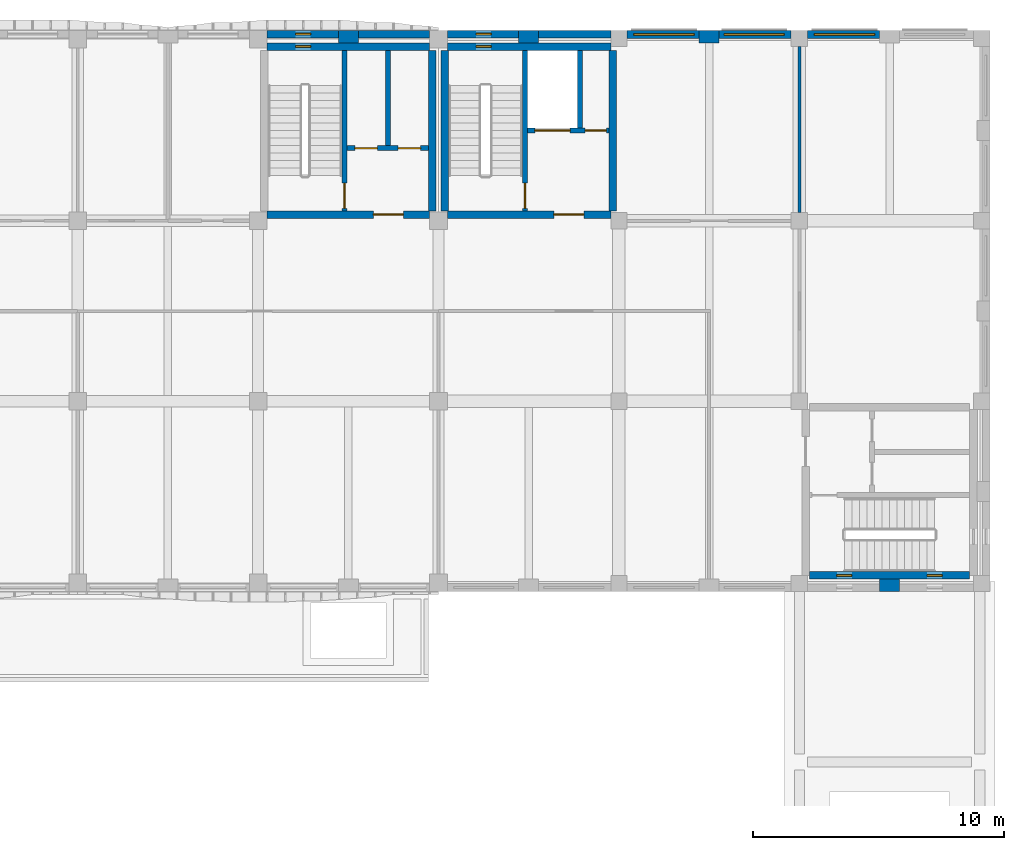
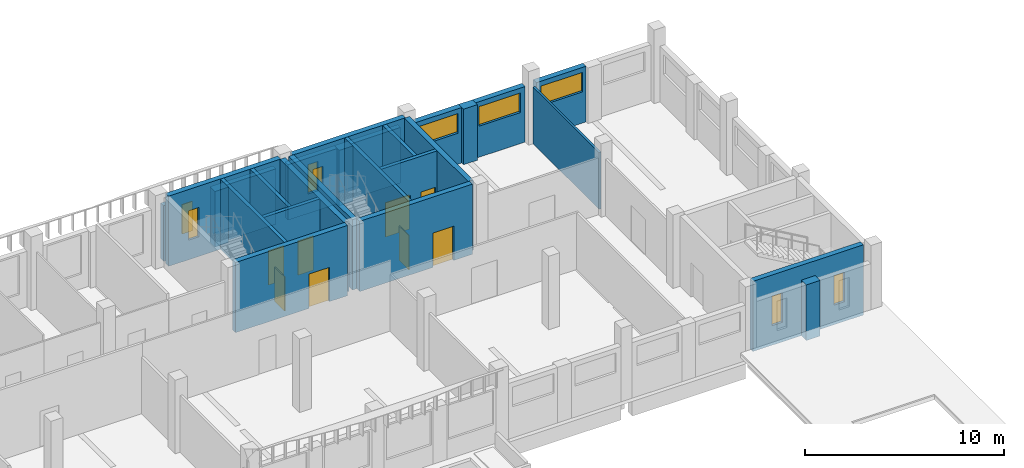
# One storey, part 31 of 59: 26 walls, 9 windows, 8 doors, 17 openings.
"""IFC4 building model written with IfcOpenShell, lengths in metres."""

from ifc_helpers import new_model, si_unit, direction, frame, frame_2d, origin, place, context, subcontext, project, spatial, rectangle, extrude, material, layer, layer_set, type_object, element, fill, save


model = new_model("IFC4")

# Units and contexts
model_context = context("Model", 3, precision=1e-05, world=origin(), true_north=direction((0.0, 1.0)))
body_context = subcontext(model_context, "Body", "Model", "MODEL_VIEW")
ifc_project = project(units=[si_unit("LENGTHUNIT", "METRE"), si_unit("AREAUNIT", "SQUARE_METRE"), si_unit("VOLUMEUNIT", "CUBIC_METRE"), si_unit("PLANEANGLEUNIT", "RADIAN"), si_unit("MASSUNIT", "GRAM", prefix="KILO")], contexts=[model_context])

# Site, building, storey
site_placement = place(None, origin())
site = spatial("IfcSite", under=ifc_project, at=site_placement, CompositionType="ELEMENT")
building_placement = place(site_placement, origin())
building = spatial("IfcBuilding", under=site, at=building_placement, Name="Ussher Court Research Institute", CompositionType="ELEMENT")
storey_placement = place(building_placement, frame((0.0, 0.0, 5.39990234375)))
storey = spatial("IfcBuildingStorey", under=building, at=storey_placement, Name="L01", CompositionType="ELEMENT", Elevation=5.39990234375)

# Wall
ifc_material_1 = material(Name="Insulated sandwich wall panel")
ifc_layer_1 = layer(ifc_material_1, 0.1201171875)
ifc_layer_set_1 = layer_set([ifc_layer_1], Name="Insulated sandwich wall panel")
wall_type_1 = type_object("IfcWallType", Name="Clean-room panel 120 EI 60", PredefinedType="PARTITIONING", material=ifc_layer_set_1)
wall_1_placement = place(storey_placement, frame((96.60009765625, 83.52490234375, 0.0), z_axis=(0.0, 0.0, 1.0), x_axis=(0.0, 1.0, 0.0)))
element("IfcWall", 1, at=wall_1_placement, inside=storey, type_object=wall_type_1, Name="Fire partition", PredefinedType="PARTITIONING", context=body_context, shape_type="SweptSolid", body=[
    extrude(rectangle(XDim=6.625, YDim=0.1201171875, at=frame_2d((3.3125, 0.0))), origin(), (0.0, 0.0, 1.0), 3.47021484375),
])

# Wall, opening, window
ifc_material_2 = material(Name="Faience facing on insulated blockwork", Category="masonry")
ifc_layer_2 = layer(ifc_material_2, 0.320068359375)
ifc_layer_set_2 = layer_set([ifc_layer_2], Name="Faience facing on insulated blockwork")
wall_type_2 = type_object("IfcWallType", Name="Clean-room wall 320 faience faced insulated panel", PredefinedType="SOLIDWALL", material=ifc_layer_set_2)
wall_2_placement = place(storey_placement, frame((89.72509765625, 90.639892578125, 0.0), z_axis=(0.0, 0.0, 1.0), x_axis=(1.0, 0.0, 0.0)))
wall_2 = element("IfcWall", 2, at=wall_2_placement, inside=storey, type_object=wall_type_2, Name="External wall EW3 L01", PredefinedType="SOLIDWALL", context=body_context, shape_type="SweptSolid", body=[
    extrude(rectangle(XDim=2.875, YDim=0.320068359375, at=frame_2d((1.4375, 0.0))), origin(), (0.0, 0.0, 1.0), 3.400146484375),
])
opening_1_placement = place(wall_2_placement, frame((0.27490234375, 0.0, 1.89990234375)))
opening_1 = element("IfcOpeningElement", 3, at=opening_1_placement, cuts=wall_2, Name="Opening W04", PredefinedType="OPENING", context=body_context, shape_type="SweptSolid", body=[
    extrude(rectangle(XDim=2.39990234375, YDim=1.199951171875, at=frame_2d((1.199951171875, 0.60009765625))), frame((0.0, 0.169921875, 0.0), z_axis=(0.0, -1.0, 0.0), x_axis=(1.0, 0.0, 0.0)), (0.0, 0.0, 1.0), 0.340087890625),
])
ifc_material_3 = material(Name="Bronze anodised aluminium with double glazing", Category="aluminium")
window_type_1 = type_object("IfcWindowType", Name="Clean-room clerestory window 2400x1200", PartitioningType="TRIPLE_PANEL_HORIZONTAL", PredefinedType="WINDOW", material=ifc_material_3)
window_1_placement = place(opening_1_placement, origin())
window_1 = element("IfcWindow", 4, at=window_1_placement, inside=storey, type_object=window_type_1, Name="Window W04 L01", OverallHeight=1.199951171875, OverallWidth=2.39990234375, PartitioningType="SINGLE_PANEL", PredefinedType="WINDOW", context=body_context, shape_type="SweptSolid", body=[
    extrude(rectangle(XDim=2.39990234375, YDim=1.199951171875, at=frame_2d((1.199951171875, 0.60009765625))), frame((0.0, 0.030029296875, 0.0), z_axis=(0.0, -1.0, 0.0), x_axis=(1.0, 0.0, 0.0)), (0.0, 0.0, 1.0), 0.06005859375),
])
fill(opening_1, window_1)

wall_3_placement = place(storey_placement, frame((93.39990234375, 90.639892578125, 0.0), z_axis=(0.0, 0.0, 1.0), x_axis=(1.0, 0.0, 0.0)))
wall_3 = element("IfcWall", 5, at=wall_3_placement, inside=storey, type_object=wall_type_2, Name="External wall EW3 L01", PredefinedType="SOLIDWALL", context=body_context, shape_type="SweptSolid", body=[
    extrude(rectangle(XDim=2.875, YDim=0.320068359375, at=frame_2d((1.4375, 0.0))), origin(), (0.0, 0.0, 1.0), 3.400146484375),
])
opening_2_placement = place(wall_3_placement, frame((0.199951171875, 0.0, 1.89990234375)))
opening_2 = element("IfcOpeningElement", 6, at=opening_2_placement, cuts=wall_3, Name="Opening W04", PredefinedType="OPENING", context=body_context, shape_type="SweptSolid", body=[
    extrude(rectangle(XDim=2.39990234375, YDim=1.199951171875, at=frame_2d((1.199951171875, 0.60009765625))), frame((0.0, 0.169921875, 0.0), z_axis=(0.0, -1.0, 0.0), x_axis=(1.0, 0.0, 0.0)), (0.0, 0.0, 1.0), 0.340087890625),
])
window_2_placement = place(opening_2_placement, origin())
window_2 = element("IfcWindow", 7, at=window_2_placement, inside=storey, type_object=window_type_1, Name="Window W04 L01", OverallHeight=1.199951171875, OverallWidth=2.39990234375, PartitioningType="SINGLE_PANEL", PredefinedType="WINDOW", context=body_context, shape_type="SweptSolid", body=[
    extrude(rectangle(XDim=2.39990234375, YDim=1.199951171875, at=frame_2d((1.199951171875, 0.60009765625))), frame((0.0, 0.030029296875, 0.0), z_axis=(0.0, -1.0, 0.0), x_axis=(1.0, 0.0, 0.0)), (0.0, 0.0, 1.0), 0.06005859375),
])
fill(opening_2, window_2)

wall_4_placement = place(storey_placement, frame((96.925048828125, 90.639892578125, 0.0), z_axis=(0.0, 0.0, 1.0), x_axis=(1.0, 0.0, 0.0)))
wall_4 = element("IfcWall", 8, at=wall_4_placement, inside=storey, type_object=wall_type_2, Name="External wall EW3 L01", PredefinedType="SOLIDWALL", context=body_context, shape_type="SweptSolid", body=[
    extrude(rectangle(XDim=2.875, YDim=0.320068359375, at=frame_2d((1.4375, 0.0))), origin(), (0.0, 0.0, 1.0), 3.400146484375),
])
opening_3_placement = place(wall_4_placement, frame((0.27490234375, 0.0, 1.89990234375)))
opening_3 = element("IfcOpeningElement", 9, at=opening_3_placement, cuts=wall_4, Name="Opening W04", PredefinedType="OPENING", context=body_context, shape_type="SweptSolid", body=[
    extrude(rectangle(XDim=2.39990234375, YDim=1.199951171875, at=frame_2d((1.199951171875, 0.60009765625))), frame((0.0, 0.169921875, 0.0), z_axis=(0.0, -1.0, 0.0), x_axis=(1.0, 0.0, 0.0)), (0.0, 0.0, 1.0), 0.340087890625),
])
window_3_placement = place(opening_3_placement, origin())
window_3 = element("IfcWindow", 10, at=window_3_placement, inside=storey, type_object=window_type_1, Name="Window W04 L01", OverallHeight=1.199951171875, OverallWidth=2.39990234375, PartitioningType="SINGLE_PANEL", PredefinedType="WINDOW", context=body_context, shape_type="SweptSolid", body=[
    extrude(rectangle(XDim=2.39990234375, YDim=1.199951171875, at=frame_2d((1.199951171875, 0.60009765625))), frame((0.0, 0.030029296875, 0.0), z_axis=(0.0, -1.0, 0.0), x_axis=(1.0, 0.0, 0.0)), (0.0, 0.0, 1.0), 0.06005859375),
])
fill(opening_3, window_3)

ifc_material_4 = material(Name="Limestone facing on blockwork", Category="masonry")
ifc_layer_3 = layer(ifc_material_4, 0.300048828125)
ifc_layer_set_3 = layer_set([ifc_layer_3], Name="Limestone facing on blockwork")
wall_type_3 = type_object("IfcWallType", Name="External wall 300 stair enclosure", PredefinedType="SOLIDWALL", material=ifc_layer_set_3)
wall_5_placement = place(storey_placement, frame((75.35009765625, 90.64990234375, 0.0), z_axis=(0.0, 0.0, 1.0), x_axis=(1.0, 0.0, 0.0)))
wall_5 = element("IfcWall", 11, at=wall_5_placement, inside=storey, type_object=wall_type_3, Name="External wall EW5 L01", PredefinedType="SOLIDWALL", context=body_context, shape_type="SweptSolid", body=[
    extrude(rectangle(XDim=2.849853515625, YDim=0.300048828125, at=frame_2d((1.4248046875, 0.0))), origin(), (0.0, 0.0, 1.0), 3.400146484375),
])
opening_4_placement = place(wall_5_placement, frame((1.14990234375, 0.0, 1.199951171875)))
opening_4 = element("IfcOpeningElement", 12, at=opening_4_placement, cuts=wall_5, Name="Opening W25", PredefinedType="OPENING", context=body_context, shape_type="SweptSolid", body=[
    extrude(rectangle(XDim=0.60009765625, YDim=1.800048828125, at=frame_2d((0.300048828125, 0.89990234375))), frame((0.0, 0.16015625, 0.0), z_axis=(0.0, -1.0, 0.0), x_axis=(1.0, 0.0, 0.0)), (0.0, 0.0, 1.0), 0.320068359375),
])
ifc_material_5 = material(Name="Bronze anodised aluminium with double glazing", Category="aluminium")
window_type_2 = type_object("IfcWindowType", Name="Stair light slot window 600x1800 fire-resisting glazing", PartitioningType="SINGLE_PANEL", PredefinedType="WINDOW", material=ifc_material_5)
window_4_placement = place(opening_4_placement, origin())
window_4 = element("IfcWindow", 13, at=window_4_placement, inside=storey, type_object=window_type_2, Name="Window W25 L01", OverallHeight=1.800048828125, OverallWidth=0.60009765625, PartitioningType="SINGLE_PANEL", PredefinedType="WINDOW", context=body_context, shape_type="SweptSolid", body=[
    extrude(rectangle(XDim=0.60009765625, YDim=1.800048828125, at=frame_2d((0.300048828125, 0.89990234375))), frame((0.0, 0.030029296875, 0.0), z_axis=(0.0, -1.0, 0.0), x_axis=(1.0, 0.0, 0.0)), (0.0, 0.0, 1.0), 0.06005859375),
])
fill(opening_4, window_4)

# Wall
wall_6_placement = place(storey_placement, frame((79.0, 90.64990234375, 0.0), z_axis=(0.0, 0.0, 1.0), x_axis=(1.0, 0.0, 0.0)))
element("IfcWall", 14, at=wall_6_placement, inside=storey, type_object=wall_type_3, Name="External wall EW5 L01", PredefinedType="SOLIDWALL", context=body_context, shape_type="SweptSolid", body=[
    extrude(rectangle(XDim=2.85009765625, YDim=0.300048828125, at=frame_2d((1.425048828125, 0.0))), origin(), (0.0, 0.0, 1.0), 3.400146484375),
])

# Wall, opening, window
wall_7_placement = place(storey_placement, frame((82.550048828125, 90.64990234375, 0.0), z_axis=(0.0, 0.0, 1.0), x_axis=(1.0, 0.0, 0.0)))
wall_7 = element("IfcWall", 15, at=wall_7_placement, inside=storey, type_object=wall_type_3, Name="External wall EW5 L01", PredefinedType="SOLIDWALL", context=body_context, shape_type="SweptSolid", body=[
    extrude(rectangle(XDim=2.849853515625, YDim=0.300048828125, at=frame_2d((1.4248046875, 0.0))), origin(), (0.0, 0.0, 1.0), 3.400146484375),
])
opening_5_placement = place(wall_7_placement, frame((1.14990234375, 0.0, 1.199951171875)))
opening_5 = element("IfcOpeningElement", 16, at=opening_5_placement, cuts=wall_7, Name="Opening W25", PredefinedType="OPENING", context=body_context, shape_type="SweptSolid", body=[
    extrude(rectangle(XDim=0.60009765625, YDim=1.800048828125, at=frame_2d((0.300048828125, 0.89990234375))), frame((0.0, 0.16015625, 0.0), z_axis=(0.0, -1.0, 0.0), x_axis=(1.0, 0.0, 0.0)), (0.0, 0.0, 1.0), 0.320068359375),
])
window_5_placement = place(opening_5_placement, origin())
window_5 = element("IfcWindow", 17, at=window_5_placement, inside=storey, type_object=window_type_2, Name="Window W25 L01", OverallHeight=1.800048828125, OverallWidth=0.60009765625, PartitioningType="SINGLE_PANEL", PredefinedType="WINDOW", context=body_context, shape_type="SweptSolid", body=[
    extrude(rectangle(XDim=0.60009765625, YDim=1.800048828125, at=frame_2d((0.300048828125, 0.89990234375))), frame((0.0, 0.030029296875, 0.0), z_axis=(0.0, -1.0, 0.0), x_axis=(1.0, 0.0, 0.0)), (0.0, 0.0, 1.0), 0.06005859375),
])
fill(opening_5, window_5)

# Walls
wall_8_placement = place(storey_placement, frame((86.199951171875, 90.64990234375, 0.0), z_axis=(0.0, 0.0, 1.0), x_axis=(1.0, 0.0, 0.0)))
element("IfcWall", 18, at=wall_8_placement, inside=storey, type_object=wall_type_3, Name="External wall EW5 L01", PredefinedType="SOLIDWALL", context=body_context, shape_type="SweptSolid", body=[
    extrude(rectangle(XDim=2.875, YDim=0.300048828125, at=frame_2d((1.4375, 0.0))), origin(), (0.0, 0.0, 1.0), 3.400146484375),
])
ifc_material_6 = material(Name="Blockwork with cream render", Category="masonry")
ifc_layer_4 = layer(ifc_material_6, 0.5)
ifc_layer_set_4 = layer_set([ifc_layer_4], Name="Blockwork with cream render")
wall_type_4 = type_object("IfcWallType", Name="Pier 800x500 cream render", PredefinedType="SOLIDWALL", material=ifc_layer_set_4)
wall_9_placement = place(storey_placement, frame((78.199951171875, 90.550048828125, 0.0), z_axis=(0.0, 0.0, 1.0), x_axis=(1.0, 0.0, 0.0)))
element("IfcWall", 19, at=wall_9_placement, inside=storey, type_object=wall_type_4, Name="Pier PR1 L01", PredefinedType="SOLIDWALL", context=body_context, shape_type="SweptSolid", body=[
    extrude(rectangle(XDim=0.800048828125, YDim=0.5, at=frame_2d((0.39990234375, 0.0))), origin(), (0.0, 0.0, 1.0), 3.400146484375),
])
ifc_material_7 = material(Name="Rusticated limestone facing on blockwork", Category="masonry")
ifc_layer_5 = layer(ifc_material_7, 0.5)
ifc_layer_set_5 = layer_set([ifc_layer_5], Name="Rusticated limestone facing on blockwork")
wall_type_5 = type_object("IfcWallType", Name="Pier 800x500 rusticated limestone", PredefinedType="SOLIDWALL", material=ifc_layer_set_5)
wall_10_placement = place(storey_placement, frame((85.39990234375, 90.550048828125, 0.0), z_axis=(0.0, 0.0, 1.0), x_axis=(1.0, 0.0, 0.0)))
element("IfcWall", 20, at=wall_10_placement, inside=storey, type_object=wall_type_5, Name="Pier PR2 L01", PredefinedType="SOLIDWALL", context=body_context, shape_type="SweptSolid", body=[
    extrude(rectangle(XDim=0.800048828125, YDim=0.5, at=frame_2d((0.39990234375, 0.0))), origin(), (0.0, 0.0, 1.0), 3.400146484375),
])
wall_11_placement = place(storey_placement, frame((92.60009765625, 90.550048828125, 0.0), z_axis=(0.0, 0.0, 1.0), x_axis=(1.0, 0.0, 0.0)))
element("IfcWall", 21, at=wall_11_placement, inside=storey, type_object=wall_type_5, Name="Pier PR2 L01", PredefinedType="SOLIDWALL", context=body_context, shape_type="SweptSolid", body=[
    extrude(rectangle(XDim=0.7998046875, YDim=0.5, at=frame_2d((0.39990234375, 0.0))), origin(), (0.0, 0.0, 1.0), 3.400146484375),
])
wall_12_placement = place(storey_placement, frame((100.60009765625, 68.64990234375, 0.0), z_axis=(0.0, 0.0, 1.0), x_axis=(-1.0, 0.0, 0.0)))
element("IfcWall", 22, at=wall_12_placement, inside=storey, type_object=wall_type_5, Name="Pier PR2 L01", PredefinedType="SOLIDWALL", context=body_context, shape_type="SweptSolid", body=[
    extrude(rectangle(XDim=0.800048828125, YDim=0.5, at=frame_2d((0.39990234375, 0.0))), origin(), (0.0, 0.0, 1.0), 3.400146484375),
])

# Wall, opening, door
ifc_material_8 = material(Name="Concrete C35/45", Category="concrete")
ifc_layer_6 = layer(ifc_material_8, 0.199951171875)
ifc_layer_set_6 = layer_set([ifc_layer_6], Name="Concrete C35/45")
wall_type_6 = type_object("IfcWallType", Name="RC core wall 200", PredefinedType="SHEAR", material=ifc_layer_set_6)
wall_13_placement = place(storey_placement, frame((85.64990234375, 83.60009765625, 0.0), z_axis=(0.0, 0.0, 1.0), x_axis=(0.0, 1.0, 0.0)))
wall_13 = element("IfcWall", 23, at=wall_13_placement, inside=storey, type_object=wall_type_6, Name="Core wall C1", PredefinedType="SHEAR", context=body_context, shape_type="SweptSolid", body=[
    extrude(rectangle(XDim=6.39990234375, YDim=0.199951171875, at=frame_2d((3.199951171875, 0.0))), origin(), (0.0, 0.0, 1.0), 4.300048828125),
])
opening_6_placement = place(wall_13_placement, frame((0.10009765625, 0.0, 0.0)))
opening_6 = element("IfcOpeningElement", 24, at=opening_6_placement, cuts=wall_13, Name="Opening D01058", PredefinedType="OPENING", context=body_context, shape_type="SweptSolid", body=[
    extrude(rectangle(XDim=1.0, YDim=2.10009765625, at=frame_2d((0.5, 1.050048828125))), frame((0.0, 0.10986328125, 0.0), z_axis=(0.0, -1.0, 0.0), x_axis=(1.0, 0.0, 0.0)), (0.0, 0.0, 1.0), 0.219970703125),
])
ifc_material_9 = material(Name="Painted steel faced fire door", Category="steel")
door_type_1 = type_object("IfcDoorType", Name="Fire door 1000x2100 FD60", OperationType="NOTDEFINED", PredefinedType="DOOR", material=ifc_material_9)
door_1_placement = place(opening_6_placement, origin())
door_1 = element("IfcDoor", 25, at=door_1_placement, inside=storey, type_object=door_type_1, Name="Door D01058", OperationType="SINGLE_SWING_LEFT", OverallHeight=2.10009765625, OverallWidth=1.0, PredefinedType="DOOR", context=body_context, shape_type="SweptSolid", body=[
    extrude(rectangle(XDim=1.0, YDim=2.10009765625, at=frame_2d((0.5, 1.050048828125))), frame((0.0, 0.02490234375, 0.0), z_axis=(0.0, -1.0, 0.0), x_axis=(1.0, 0.0, 0.0)), (0.0, 0.0, 1.0), 0.050048828125),
])
fill(opening_6, door_1)

# Wall, openings, doors
wall_14_placement = place(storey_placement, frame((89.0, 86.800048828125, 0.0), z_axis=(0.0, 0.0, 1.0), x_axis=(-1.0, 0.0, 0.0)))
wall_14 = element("IfcWall", 26, at=wall_14_placement, inside=storey, type_object=wall_type_6, Name="Core wall C1", PredefinedType="SHEAR", context=body_context, shape_type="SweptSolid", body=[
    extrude(rectangle(XDim=3.25, YDim=0.199951171875, at=frame_2d((1.625, 0.0))), origin(), (0.0, 0.0, 1.0), 4.300048828125),
])
opening_7_placement = place(wall_14_placement, frame((1.550048828125, 0.0, 0.0)))
opening_7 = element("IfcOpeningElement", 27, at=opening_7_placement, cuts=wall_14, Name="Opening LD23", PredefinedType="OPENING", context=body_context, shape_type="SweptSolid", body=[
    extrude(rectangle(XDim=1.39990234375, YDim=2.10009765625, at=frame_2d((0.699951171875, 1.050048828125))), frame((0.0, 0.10986328125, 0.0), z_axis=(0.0, -1.0, 0.0), x_axis=(1.0, 0.0, 0.0)), (0.0, 0.0, 1.0), 0.219970703125),
])
opening_8_placement = place(wall_14_placement, frame((0.10009765625, 0.0, 0.0)))
opening_8 = element("IfcOpeningElement", 28, at=opening_8_placement, cuts=wall_14, Name="Opening D01068", PredefinedType="OPENING", context=body_context, shape_type="SweptSolid", body=[
    extrude(rectangle(XDim=0.85009765625, YDim=2.10009765625, at=frame_2d((0.425048828125, 1.050048828125))), frame((0.0, 0.10986328125, 0.0), z_axis=(0.0, -1.0, 0.0), x_axis=(1.0, 0.0, 0.0)), (0.0, 0.0, 1.0), 0.219970703125),
])
ifc_material_10 = material(Name="Painted steel faced fire door", Category="steel")
door_type_2 = type_object("IfcDoorType", Name="Fire door 850x2100 FD60", OperationType="NOTDEFINED", PredefinedType="DOOR", material=ifc_material_10)
door_2_placement = place(opening_8_placement, origin())
door_2 = element("IfcDoor", 29, at=door_2_placement, inside=storey, type_object=door_type_2, Name="Door D01068", OperationType="SINGLE_SWING_LEFT", OverallHeight=2.10009765625, OverallWidth=0.85009765625, PredefinedType="DOOR", context=body_context, shape_type="SweptSolid", body=[
    extrude(rectangle(XDim=0.85009765625, YDim=2.10009765625, at=frame_2d((0.425048828125, 1.050048828125))), frame((0.0, 0.02490234375, 0.0), z_axis=(0.0, -1.0, 0.0), x_axis=(1.0, 0.0, 0.0)), (0.0, 0.0, 1.0), 0.050048828125),
])
fill(opening_8, door_2)
ifc_material_11 = material(Name="Stainless steel lift door", Category="steel")
door_type_3 = type_object("IfcDoorType", Name="Lift landing door 1400x2100 sliding", OperationType="DOUBLE_DOOR_SLIDING", PredefinedType="DOOR", material=ifc_material_11)
door_3_placement = place(opening_7_placement, origin())
door_3 = element("IfcDoor", 30, at=door_3_placement, inside=storey, type_object=door_type_3, Name="Landing door C1-1 L01", OperationType="DOUBLE_DOOR_SLIDING", OverallHeight=2.10009765625, OverallWidth=1.39990234375, PredefinedType="DOOR", context=body_context, shape_type="SweptSolid", body=[
    extrude(rectangle(XDim=1.39990234375, YDim=2.10009765625, at=frame_2d((0.699951171875, 1.050048828125))), frame((0.0, 0.02490234375, 0.0), z_axis=(0.0, -1.0, 0.0), x_axis=(1.0, 0.0, 0.0)), (0.0, 0.0, 1.0), 0.050048828125),
])
fill(opening_7, door_3)

# Wall
wall_15_placement = place(storey_placement, frame((87.85009765625, 86.89990234375, 0.0), z_axis=(0.0, 0.0, 1.0), x_axis=(0.0, 1.0, 0.0)))
element("IfcWall", 31, at=wall_15_placement, inside=storey, type_object=wall_type_6, Name="Core wall C1", PredefinedType="SHEAR", context=body_context, shape_type="SweptSolid", body=[
    extrude(rectangle(XDim=3.10009765625, YDim=0.199951171875, at=frame_2d((1.550048828125, 0.0))), origin(), (0.0, 0.0, 1.0), 4.300048828125),
])

# Wall, opening, door
wall_16_placement = place(storey_placement, frame((78.449951171875, 83.60009765625, 0.0), z_axis=(0.0, 0.0, 1.0), x_axis=(0.0, 1.0, 0.0)))
wall_16 = element("IfcWall", 32, at=wall_16_placement, inside=storey, type_object=wall_type_6, Name="Core wall D3", PredefinedType="SHEAR", context=body_context, shape_type="SweptSolid", body=[
    extrude(rectangle(XDim=6.39990234375, YDim=0.199951171875, at=frame_2d((3.199951171875, 0.0))), origin(), (0.0, 0.0, 1.0), 4.300048828125),
])
opening_9_placement = place(wall_16_placement, frame((0.10009765625, 0.0, 0.0)))
opening_9 = element("IfcOpeningElement", 33, at=opening_9_placement, cuts=wall_16, Name="Opening D01052", PredefinedType="OPENING", context=body_context, shape_type="SweptSolid", body=[
    extrude(rectangle(XDim=1.0, YDim=2.10009765625, at=frame_2d((0.5, 1.050048828125))), frame((0.0, 0.10986328125, 0.0), z_axis=(0.0, -1.0, 0.0), x_axis=(1.0, 0.0, 0.0)), (0.0, 0.0, 1.0), 0.219970703125),
])
door_4_placement = place(opening_9_placement, origin())
door_4 = element("IfcDoor", 34, at=door_4_placement, inside=storey, type_object=door_type_1, Name="Door D01052", OperationType="SINGLE_SWING_LEFT", OverallHeight=2.10009765625, OverallWidth=1.0, PredefinedType="DOOR", context=body_context, shape_type="SweptSolid", body=[
    extrude(rectangle(XDim=1.0, YDim=2.10009765625, at=frame_2d((0.5, 1.050048828125))), frame((0.0, 0.02490234375, 0.0), z_axis=(0.0, -1.0, 0.0), x_axis=(1.0, 0.0, 0.0)), (0.0, 0.0, 1.0), 0.050048828125),
])
fill(opening_9, door_4)

# Wall, openings, doors
wall_17_placement = place(storey_placement, frame((81.800048828125, 86.10009765625, 0.0), z_axis=(0.0, 0.0, 1.0), x_axis=(-1.0, 0.0, 0.0)))
wall_17 = element("IfcWall", 35, at=wall_17_placement, inside=storey, type_object=wall_type_6, Name="Core wall D3", PredefinedType="SHEAR", context=body_context, shape_type="SweptSolid", body=[
    extrude(rectangle(XDim=3.25, YDim=0.199951171875, at=frame_2d((1.625, 0.0))), origin(), (0.0, 0.0, 1.0), 4.300048828125),
])
opening_10_placement = place(wall_17_placement, frame((2.03759765625, 0.0, 0.0)))
opening_10 = element("IfcOpeningElement", 36, at=opening_10_placement, cuts=wall_17, Name="Opening D01053", PredefinedType="OPENING", context=body_context, shape_type="SweptSolid", body=[
    extrude(rectangle(XDim=0.89990234375, YDim=2.10009765625, at=frame_2d((0.449951171875, 1.050048828125))), frame((0.0, 0.10986328125, 0.0), z_axis=(0.0, -1.0, 0.0), x_axis=(1.0, 0.0, 0.0)), (0.0, 0.0, 1.0), 0.219970703125),
])
opening_11_placement = place(wall_17_placement, frame((0.3125, 0.0, 0.0)))
opening_11 = element("IfcOpeningElement", 37, at=opening_11_placement, cuts=wall_17, Name="Opening D01056", PredefinedType="OPENING", context=body_context, shape_type="SweptSolid", body=[
    extrude(rectangle(XDim=0.89990234375, YDim=2.10009765625, at=frame_2d((0.449951171875, 1.050048828125))), frame((0.0, 0.10986328125, 0.0), z_axis=(0.0, -1.0, 0.0), x_axis=(1.0, 0.0, 0.0)), (0.0, 0.0, 1.0), 0.219970703125),
])
ifc_material_12 = material(Name="Painted steel faced fire door", Category="steel")
door_type_4 = type_object("IfcDoorType", Name="Fire door 900x2100 FD60", OperationType="NOTDEFINED", PredefinedType="DOOR", material=ifc_material_12)
door_5_placement = place(opening_10_placement, origin())
door_5 = element("IfcDoor", 38, at=door_5_placement, inside=storey, type_object=door_type_4, Name="Door D01053", OperationType="SINGLE_SWING_RIGHT", OverallHeight=2.10009765625, OverallWidth=0.89990234375, PredefinedType="DOOR", context=body_context, shape_type="SweptSolid", body=[
    extrude(rectangle(XDim=0.89990234375, YDim=2.10009765625, at=frame_2d((0.449951171875, 1.050048828125))), frame((0.0, 0.02490234375, 0.0), z_axis=(0.0, -1.0, 0.0), x_axis=(1.0, 0.0, 0.0)), (0.0, 0.0, 1.0), 0.050048828125),
])
fill(opening_10, door_5)
door_6_placement = place(opening_11_placement, origin())
door_6 = element("IfcDoor", 39, at=door_6_placement, inside=storey, type_object=door_type_4, Name="Door D01056", OperationType="SINGLE_SWING_LEFT", OverallHeight=2.10009765625, OverallWidth=0.89990234375, PredefinedType="DOOR", context=body_context, shape_type="SweptSolid", body=[
    extrude(rectangle(XDim=0.89990234375, YDim=2.10009765625, at=frame_2d((0.449951171875, 1.050048828125))), frame((0.0, 0.02490234375, 0.0), z_axis=(0.0, -1.0, 0.0), x_axis=(1.0, 0.0, 0.0)), (0.0, 0.0, 1.0), 0.050048828125),
])
fill(opening_11, door_6)

# Wall
wall_18_placement = place(storey_placement, frame((80.175048828125, 86.199951171875, 0.0), z_axis=(0.0, 0.0, 1.0), x_axis=(0.0, 1.0, 0.0)))
element("IfcWall", 40, at=wall_18_placement, inside=storey, type_object=wall_type_6, Name="Core wall D3", PredefinedType="SHEAR", context=body_context, shape_type="SweptSolid", body=[
    extrude(rectangle(XDim=3.800048828125, YDim=0.199951171875, at=frame_2d((1.89990234375, 0.0))), origin(), (0.0, 0.0, 1.0), 4.300048828125),
])

# Wall, opening, door
ifc_material_13 = material(Name="Concrete C35/45", Category="concrete")
ifc_layer_7 = layer(ifc_material_13, 0.300048828125)
ifc_layer_set_7 = layer_set([ifc_layer_7], Name="Concrete C35/45")
wall_type_7 = type_object("IfcWallType", Name="RC core wall 300", PredefinedType="SHEAR", material=ifc_layer_set_7)
wall_19_placement = place(storey_placement, frame((82.550048828125, 83.449951171875, 0.0), z_axis=(0.0, 0.0, 1.0), x_axis=(1.0, 0.0, 0.0)))
wall_19 = element("IfcWall", 41, at=wall_19_placement, inside=storey, type_object=wall_type_7, Name="Core wall C1", PredefinedType="SHEAR", context=body_context, shape_type="SweptSolid", body=[
    extrude(rectangle(XDim=6.52490234375, YDim=0.300048828125, at=frame_2d((3.262451171875, 0.0))), origin(), (0.0, 0.0, 1.0), 4.300048828125),
])
opening_12_placement = place(wall_19_placement, frame((4.25, 0.0, 0.0)))
opening_12 = element("IfcOpeningElement", 42, at=opening_12_placement, cuts=wall_19, Name="Opening D01065", PredefinedType="OPENING", context=body_context, shape_type="SweptSolid", body=[
    extrude(rectangle(XDim=1.199951171875, YDim=2.10009765625, at=frame_2d((0.60009765625, 1.050048828125))), frame((0.0, 0.16015625, 0.0), z_axis=(0.0, -1.0, 0.0), x_axis=(1.0, 0.0, 0.0)), (0.0, 0.0, 1.0), 0.320068359375),
])
ifc_material_14 = material(Name="Painted steel faced fire door", Category="steel")
door_type_5 = type_object("IfcDoorType", Name="Fire door 1200x2100 FD60", OperationType="NOTDEFINED", PredefinedType="DOOR", material=ifc_material_14)
door_7_placement = place(opening_12_placement, origin())
door_7 = element("IfcDoor", 43, at=door_7_placement, inside=storey, type_object=door_type_5, Name="Door D01065", OperationType="SINGLE_SWING_RIGHT", OverallHeight=2.10009765625, OverallWidth=1.199951171875, PredefinedType="DOOR", context=body_context, shape_type="SweptSolid", body=[
    extrude(rectangle(XDim=1.199951171875, YDim=2.10009765625, at=frame_2d((0.60009765625, 1.050048828125))), frame((0.0, 0.02490234375, 0.0), z_axis=(0.0, -1.0, 0.0), x_axis=(1.0, 0.0, 0.0)), (0.0, 0.0, 1.0), 0.050048828125),
])
fill(opening_12, door_7)

# Wall, opening, window
wall_20_placement = place(storey_placement, frame((82.550048828125, 90.14990234375, 0.0), z_axis=(0.0, 0.0, 1.0), x_axis=(1.0, 0.0, 0.0)))
wall_20 = element("IfcWall", 44, at=wall_20_placement, inside=storey, type_object=wall_type_7, Name="Core wall C1", PredefinedType="SHEAR", context=body_context, shape_type="SweptSolid", body=[
    extrude(rectangle(XDim=6.52490234375, YDim=0.300048828125, at=frame_2d((3.262451171875, 0.0))), origin(), (0.0, 0.0, 1.0), 4.300048828125),
])
opening_13_placement = place(wall_20_placement, frame((1.14990234375, 0.0, 1.199951171875)))
opening_13 = element("IfcOpeningElement", 45, at=opening_13_placement, cuts=wall_20, Name="Opening W25", PredefinedType="OPENING", context=body_context, shape_type="SweptSolid", body=[
    extrude(rectangle(XDim=0.60009765625, YDim=1.800048828125, at=frame_2d((0.300048828125, 0.89990234375))), frame((0.0, 0.16015625, 0.0), z_axis=(0.0, -1.0, 0.0), x_axis=(1.0, 0.0, 0.0)), (0.0, 0.0, 1.0), 0.320068359375),
])
window_6_placement = place(opening_13_placement, origin())
window_6 = element("IfcWindow", 46, at=window_6_placement, inside=storey, type_object=window_type_2, Name="Window stair light C1 L01", OverallHeight=1.800048828125, OverallWidth=0.60009765625, PartitioningType="SINGLE_PANEL", PredefinedType="WINDOW", context=body_context, shape_type="SweptSolid", body=[
    extrude(rectangle(XDim=0.60009765625, YDim=1.800048828125, at=frame_2d((0.300048828125, 0.89990234375))), frame((0.0, 0.030029296875, 0.0), z_axis=(0.0, -1.0, 0.0), x_axis=(1.0, 0.0, 0.0)), (0.0, 0.0, 1.0), 0.06005859375),
])
fill(opening_13, window_6)

# Walls
for number, where, z_axis, x_axis, name in (
    (47, (82.449951171875, 83.60009765625, 0.0), (0.0, 0.0, 1.0), (0.0, 1.0, 0.0), "Core wall C1"),
    (48, (89.14990234375, 83.60009765625, 0.0), (0.0, 0.0, 1.0), (0.0, 1.0, 0.0), "Core wall C1"),
):
    element("IfcWall", number, at=place(storey_placement, frame(where, z_axis=z_axis, x_axis=x_axis)), inside=storey, type_object=wall_type_7, Name=name, PredefinedType="SHEAR", context=body_context, shape_type="SweptSolid", body=[
        extrude(rectangle(XDim=6.39990234375, YDim=0.300048828125, at=frame_2d((3.199951171875, 0.0))), origin(), (0.0, 0.0, 1.0), 4.300048828125),
    ])

# Wall, openings, windows
wall_21_placement = place(storey_placement, frame((97.0, 69.050048828125, 0.0), z_axis=(0.0, 0.0, 1.0), x_axis=(1.0, 0.0, 0.0)))
wall_21 = element("IfcWall", 49, at=wall_21_placement, inside=storey, type_object=wall_type_7, Name="Core wall C2", PredefinedType="SHEAR", context=body_context, shape_type="SweptSolid", body=[
    extrude(rectangle(XDim=6.39990234375, YDim=0.300048828125, at=frame_2d((3.199951171875, 0.0))), origin(), (0.0, 0.0, 1.0), 4.300048828125),
])
opening_14_placement = place(wall_21_placement, frame((4.699951171875, 0.0, 1.199951171875)))
opening_14 = element("IfcOpeningElement", 50, at=opening_14_placement, cuts=wall_21, Name="Opening W25", PredefinedType="OPENING", context=body_context, shape_type="SweptSolid", body=[
    extrude(rectangle(XDim=0.60009765625, YDim=1.800048828125, at=frame_2d((0.300048828125, 0.89990234375))), frame((0.0, 0.16015625, 0.0), z_axis=(0.0, -1.0, 0.0), x_axis=(1.0, 0.0, 0.0)), (0.0, 0.0, 1.0), 0.320068359375),
])
opening_15_placement = place(wall_21_placement, frame((1.10009765625, 0.0, 1.199951171875)))
opening_15 = element("IfcOpeningElement", 51, at=opening_15_placement, cuts=wall_21, Name="Opening W25", PredefinedType="OPENING", context=body_context, shape_type="SweptSolid", body=[
    extrude(rectangle(XDim=0.60009765625, YDim=1.800048828125, at=frame_2d((0.300048828125, 0.89990234375))), frame((0.0, 0.16015625, 0.0), z_axis=(0.0, -1.0, 0.0), x_axis=(1.0, 0.0, 0.0)), (0.0, 0.0, 1.0), 0.320068359375),
])
window_7_placement = place(opening_14_placement, origin())
window_7 = element("IfcWindow", 52, at=window_7_placement, inside=storey, type_object=window_type_2, Name="Window stair light C2 L01", OverallHeight=1.800048828125, OverallWidth=0.60009765625, PartitioningType="SINGLE_PANEL", PredefinedType="WINDOW", context=body_context, shape_type="SweptSolid", body=[
    extrude(rectangle(XDim=0.60009765625, YDim=1.800048828125, at=frame_2d((0.300048828125, 0.89990234375))), frame((0.0, 0.030029296875, 0.0), z_axis=(0.0, -1.0, 0.0), x_axis=(1.0, 0.0, 0.0)), (0.0, 0.0, 1.0), 0.06005859375),
])
fill(opening_14, window_7)
window_8_placement = place(opening_15_placement, origin())
window_8 = element("IfcWindow", 53, at=window_8_placement, inside=storey, type_object=window_type_2, Name="Window stair light C2 L01", OverallHeight=1.800048828125, OverallWidth=0.60009765625, PartitioningType="SINGLE_PANEL", PredefinedType="WINDOW", context=body_context, shape_type="SweptSolid", body=[
    extrude(rectangle(XDim=0.60009765625, YDim=1.800048828125, at=frame_2d((0.300048828125, 0.89990234375))), frame((0.0, 0.030029296875, 0.0), z_axis=(0.0, -1.0, 0.0), x_axis=(1.0, 0.0, 0.0)), (0.0, 0.0, 1.0), 0.06005859375),
])
fill(opening_15, window_8)

# Wall, opening, door
wall_22_placement = place(storey_placement, frame((75.35009765625, 83.449951171875, 0.0), z_axis=(0.0, 0.0, 1.0), x_axis=(1.0, 0.0, 0.0)))
wall_22 = element("IfcWall", 54, at=wall_22_placement, inside=storey, type_object=wall_type_7, Name="Core wall D3", PredefinedType="SHEAR", context=body_context, shape_type="SweptSolid", body=[
    extrude(rectangle(XDim=6.5, YDim=0.300048828125, at=frame_2d((3.25, 0.0))), origin(), (0.0, 0.0, 1.0), 4.300048828125),
])
opening_16_placement = place(wall_22_placement, frame((4.25, 0.0, 0.0)))
opening_16 = element("IfcOpeningElement", 55, at=opening_16_placement, cuts=wall_22, Name="Opening D01055", PredefinedType="OPENING", context=body_context, shape_type="SweptSolid", body=[
    extrude(rectangle(XDim=1.199951171875, YDim=2.10009765625, at=frame_2d((0.60009765625, 1.050048828125))), frame((0.0, 0.16015625, 0.0), z_axis=(0.0, -1.0, 0.0), x_axis=(1.0, 0.0, 0.0)), (0.0, 0.0, 1.0), 0.320068359375),
])
door_8_placement = place(opening_16_placement, origin())
door_8 = element("IfcDoor", 56, at=door_8_placement, inside=storey, type_object=door_type_5, Name="Door D01055", OperationType="SINGLE_SWING_RIGHT", OverallHeight=2.10009765625, OverallWidth=1.199951171875, PredefinedType="DOOR", context=body_context, shape_type="SweptSolid", body=[
    extrude(rectangle(XDim=1.199951171875, YDim=2.10009765625, at=frame_2d((0.60009765625, 1.050048828125))), frame((0.0, 0.02490234375, 0.0), z_axis=(0.0, -1.0, 0.0), x_axis=(1.0, 0.0, 0.0)), (0.0, 0.0, 1.0), 0.050048828125),
])
fill(opening_16, door_8)

# Wall, opening, window
wall_23_placement = place(storey_placement, frame((75.35009765625, 90.14990234375, 0.0), z_axis=(0.0, 0.0, 1.0), x_axis=(1.0, 0.0, 0.0)))
wall_23 = element("IfcWall", 57, at=wall_23_placement, inside=storey, type_object=wall_type_7, Name="Core wall D3", PredefinedType="SHEAR", context=body_context, shape_type="SweptSolid", body=[
    extrude(rectangle(XDim=6.5, YDim=0.300048828125, at=frame_2d((3.25, 0.0))), origin(), (0.0, 0.0, 1.0), 4.300048828125),
])
opening_17_placement = place(wall_23_placement, frame((1.14990234375, 0.0, 1.199951171875)))
opening_17 = element("IfcOpeningElement", 58, at=opening_17_placement, cuts=wall_23, Name="Opening W25", PredefinedType="OPENING", context=body_context, shape_type="SweptSolid", body=[
    extrude(rectangle(XDim=0.60009765625, YDim=1.800048828125, at=frame_2d((0.300048828125, 0.89990234375))), frame((0.0, 0.16015625, 0.0), z_axis=(0.0, -1.0, 0.0), x_axis=(1.0, 0.0, 0.0)), (0.0, 0.0, 1.0), 0.320068359375),
])
window_9_placement = place(opening_17_placement, origin())
window_9 = element("IfcWindow", 59, at=window_9_placement, inside=storey, type_object=window_type_2, Name="Window stair light D3 L01", OverallHeight=1.800048828125, OverallWidth=0.60009765625, PartitioningType="SINGLE_PANEL", PredefinedType="WINDOW", context=body_context, shape_type="SweptSolid", body=[
    extrude(rectangle(XDim=0.60009765625, YDim=1.800048828125, at=frame_2d((0.300048828125, 0.89990234375))), frame((0.0, 0.030029296875, 0.0), z_axis=(0.0, -1.0, 0.0), x_axis=(1.0, 0.0, 0.0)), (0.0, 0.0, 1.0), 0.06005859375),
])
fill(opening_17, window_9)

# Wall
wall_24_placement = place(storey_placement, frame((81.949951171875, 83.60009765625, 0.0), z_axis=(0.0, 0.0, 1.0), x_axis=(0.0, 1.0, 0.0)))
element("IfcWall", 60, at=wall_24_placement, inside=storey, type_object=wall_type_7, Name="Core wall D3", PredefinedType="SHEAR", context=body_context, shape_type="SweptSolid", body=[
    extrude(rectangle(XDim=6.39990234375, YDim=0.300048828125, at=frame_2d((3.199951171875, 0.0))), origin(), (0.0, 0.0, 1.0), 4.300048828125),
])

save(model, "model.ifc")
